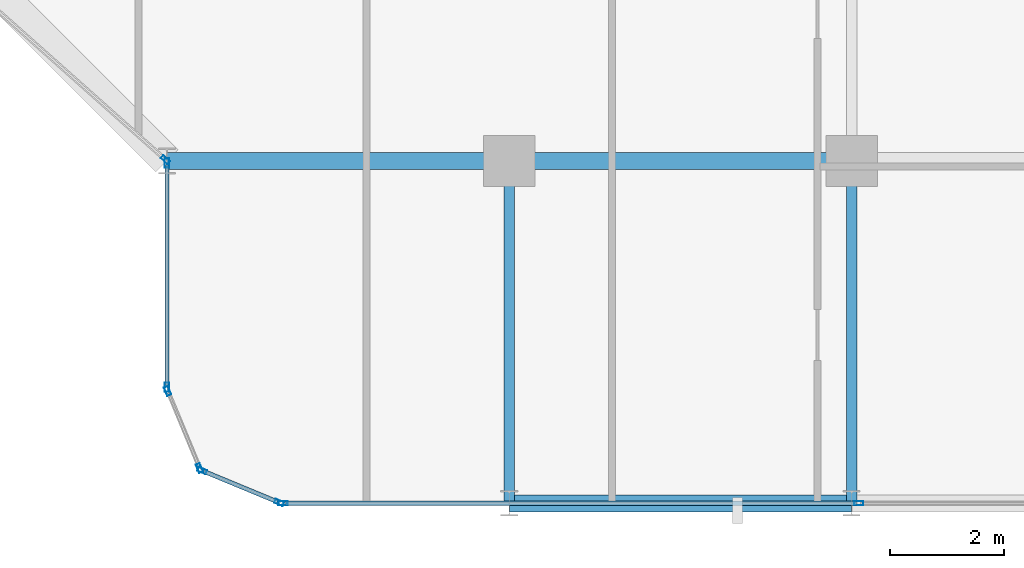
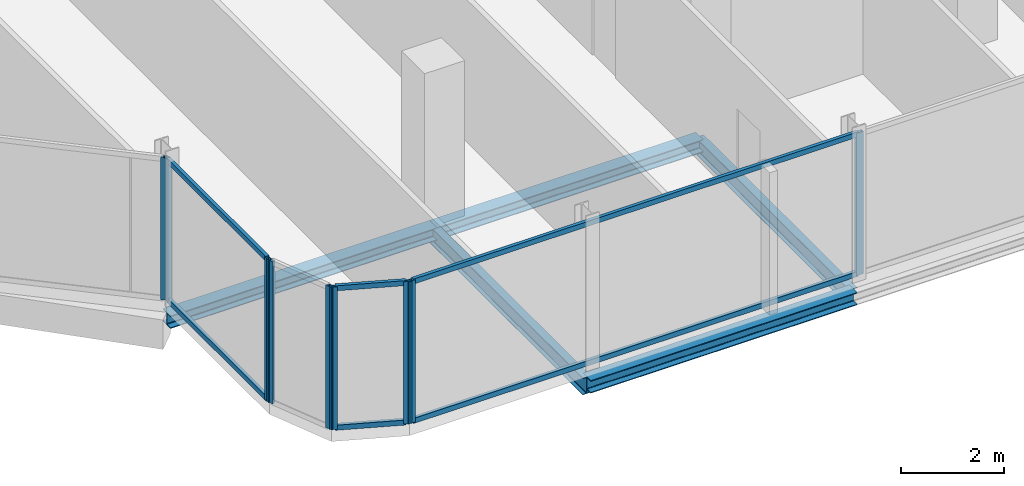
# One storey, part 6 of 29: 15 members, 5 beams, 5 elements without a shape of their own.
"""IFC4 building model written with IfcOpenShell, lengths in metres."""

from ifc_helpers import new_model, si_unit, direction, frame, origin, origin_2d, place, context, subcontext, project, spatial, hollow_rectangle, i_section, extrude, material, layer, layer_set, material_profile, profile_set, type_object, element, aggregate, save


model = new_model("IFC4")

# Units and contexts
model_context = context("Model", 3, precision=1e-05, world=origin(), true_north=direction((0.0, 1.0)))
body_context = subcontext(model_context, "Body", "Model", "MODEL_VIEW")
ifc_project = project(units=[si_unit("LENGTHUNIT", "METRE"), si_unit("AREAUNIT", "SQUARE_METRE"), si_unit("VOLUMEUNIT", "CUBIC_METRE"), si_unit("PLANEANGLEUNIT", "RADIAN"), si_unit("MASSUNIT", "GRAM", prefix="KILO")], contexts=[model_context])

# Site, building, storey
site_placement = place(None, origin())
site = spatial("IfcSite", under=ifc_project, at=site_placement, CompositionType="ELEMENT")
building_placement = place(site_placement, origin())
building = spatial("IfcBuilding", under=site, at=building_placement, Name="Keshet Zoharim Tower", CompositionType="ELEMENT")
storey_placement = place(building_placement, frame((0.0, 0.0, 195.800048828125)))
storey = spatial("IfcBuildingStorey", under=building, at=storey_placement, Name="L48", CompositionType="ELEMENT", Elevation=195.800048828125)

# Beams
ifc_material_1 = material(Name="Steel S355", Category="steel")
ifc_material_profile_1 = material_profile(ifc_material_1, i_section(OverallWidth=0.300048828125, OverallDepth=0.300048828125, WebThickness=0.010986328125, FlangeThickness=0.01904296875, FilletRadius=0.027099609375, at=origin_2d()), Name="HEB300")
ifc_profile_set_1 = profile_set([ifc_material_profile_1], Name="Steel S355")
beam_type_1 = type_object("IfcBeamType", Name="BM-PRI-HB300", PredefinedType="BEAM", material=ifc_profile_set_1)
for number, where, z_axis, x_axis, name in (
    (1, (27.0, 0.699951171875, -0.4599609375), (1.0, 0.0, 0.0), (0.0, 1.0, 0.0), "L48 Primary Girder X-001"),
    (2, (21.0, 6.699951171875, -0.4599609375), (1.0, 0.0, 0.0), (0.0, 1.0, 0.0), "L48 Primary Girder X-005"),
    (3, (27.0, 6.699951171875, -0.4599609375), (1.0, 0.0, 0.0), (0.0, 1.0, 0.0), "L48 Primary Girder X-006"),
):
    element("IfcBeam", number, at=place(storey_placement, frame(where, z_axis=z_axis, x_axis=x_axis)), inside=storey, type_object=beam_type_1, Name=name, PredefinedType="BEAM", context=body_context, shape_type="SweptSolid", body=[
        extrude(i_section(OverallWidth=0.300048828125, OverallDepth=0.300048828125, WebThickness=0.010986328125, FlangeThickness=0.01904296875, FilletRadius=0.027099609375, at=origin_2d()), origin(), (0.0, 0.0, 1.0), 6.0),
    ])
ifc_material_profile_2 = material_profile(ifc_material_1, i_section(OverallWidth=0.179931640625, OverallDepth=0.39990234375, WebThickness=0.008544921875, FlangeThickness=0.013427734375, FilletRadius=0.02099609375, at=origin_2d()), Name="IPE400")
ifc_profile_set_2 = profile_set([ifc_material_profile_2], Name="Steel S355")
beam_type_2 = type_object("IfcBeamType", Name="BM-PRI-IP400", PredefinedType="BEAM", material=ifc_profile_set_2)
for number, where, z_axis, x_axis, name in (
    (4, (27.0, 0.699951171875, -0.510009765625), (0.0, 1.0, 0.0), (-1.0, 0.0, 0.0), "L48 Primary Girder Y-004"),
    (5, (33.0, 0.699951171875, -0.510009765625), (0.0, 1.0, 0.0), (-1.0, 0.0, 0.0), "L48 Primary Girder Y-005"),
):
    element("IfcBeam", number, at=place(storey_placement, frame(where, z_axis=z_axis, x_axis=x_axis)), inside=storey, type_object=beam_type_2, Name=name, PredefinedType="BEAM", context=body_context, shape_type="SweptSolid", body=[
        extrude(i_section(OverallWidth=0.179931640625, OverallDepth=0.39990234375, WebThickness=0.008544921875, FlangeThickness=0.013427734375, FilletRadius=0.02099609375, at=origin_2d()), origin(), (0.0, 0.0, 1.0), 6.0),
    ])

# Curtain wall, members
ifc_material_2 = material(Name="Aluminium 6063-T6", Category="aluminium")
ifc_layer = layer(ifc_material_2, 0.139892578125)
ifc_layer_set = layer_set([ifc_layer], Name="Aluminium 6063-T6")
curtain_wall_type = type_object("IfcCurtainWallType", Name="CW-SYS-05", PredefinedType="NOTDEFINED", material=ifc_layer_set)
curtain_wall_1_placement = place(storey_placement, origin())
curtain_wall_1 = element("IfcCurtainWall", 6, at=curtain_wall_1_placement, inside=storey, type_object=curtain_wall_type, Name="L48 Unitised Curtain Wall 06 Part 3", PredefinedType="NOTDEFINED")
ifc_material_profile_3 = material_profile(ifc_material_2, hollow_rectangle(XDim=0.074951171875, YDim=0.159912109375, WallThickness=0.00390625, at=origin_2d()), Name="MUL-75x160")
ifc_profile_set_3 = profile_set([ifc_material_profile_3], Name="Aluminium 6063-T6")
member_type_1 = type_object("IfcMemberType", Name="CWM-M15", PredefinedType="MULLION", material=ifc_profile_set_3)
member_1_placement = place(storey_placement, frame((33.1259765625, 0.699951171875, 0.0), z_axis=(0.0, 0.0, 1.0), x_axis=(0.0, -1.0, 0.0)))
member_1 = element("IfcMember", 7, at=member_1_placement, type_object=member_type_1, Name="CW-05 mullion 2", PredefinedType="MULLION", context=body_context, shape_type="SweptSolid", body=[
    extrude(hollow_rectangle(XDim=0.074951171875, YDim=0.159912109375, WallThickness=0.00390625, at=origin_2d()), origin(), (0.0, 0.0, 1.0), 3.389892578125),
])
member_2_placement = place(storey_placement, frame((23.034912109375, 0.699951171875, 0.0), z_axis=(0.0, 0.0, 1.0), x_axis=(0.0, -1.0, 0.0)))
member_2 = element("IfcMember", 8, at=member_2_placement, type_object=member_type_1, Name="CW-05 mullion 3", PredefinedType="MULLION", context=body_context, shape_type="SweptSolid", body=[
    extrude(hollow_rectangle(XDim=0.074951171875, YDim=0.159912109375, WallThickness=0.00390625, at=origin_2d()), origin(), (0.0, 0.0, 1.0), 3.389892578125),
])

curtain_wall_2_placement = place(storey_placement, origin())
curtain_wall_2 = element("IfcCurtainWall", 9, at=curtain_wall_2_placement, inside=storey, type_object=curtain_wall_type, Name="L48 Unitised Curtain Wall 07", PredefinedType="NOTDEFINED")
member_3_placement = place(storey_placement, frame((22.9677734375, 0.71337890625, 0.0), z_axis=(0.0, 0.0, 1.0), x_axis=(-0.382851849847, -0.92380975372, 0.0)))
member_3 = element("IfcMember", 10, at=member_3_placement, type_object=member_type_1, Name="CW-05 mullion 1", PredefinedType="MULLION", context=body_context, shape_type="SweptSolid", body=[
    extrude(hollow_rectangle(XDim=0.074951171875, YDim=0.159912109375, WallThickness=0.00390625, at=origin_2d()), origin(), (0.0, 0.0, 1.0), 3.389892578125),
])
member_4_placement = place(storey_placement, frame((21.618408203125, 1.272705078125, 0.0), z_axis=(0.0, 0.0, 1.0), x_axis=(-0.382851849847, -0.92380975372, 0.0)))
member_4 = element("IfcMember", 11, at=member_4_placement, type_object=member_type_1, Name="CW-05 mullion 2", PredefinedType="MULLION", context=body_context, shape_type="SweptSolid", body=[
    extrude(hollow_rectangle(XDim=0.074951171875, YDim=0.159912109375, WallThickness=0.00390625, at=origin_2d()), origin(), (0.0, 0.0, 1.0), 3.389892578125),
])

curtain_wall_3_placement = place(storey_placement, origin())
curtain_wall_3 = element("IfcCurtainWall", 12, at=curtain_wall_3_placement, inside=storey, type_object=curtain_wall_type, Name="L48 Unitised Curtain Wall 08", PredefinedType="NOTDEFINED")
member_5_placement = place(storey_placement, frame((21.572509765625, 1.318359375, 0.0), z_axis=(0.0, 0.0, 1.0), x_axis=(-0.92380975372, -0.382851849847, 0.0)))
member_5 = element("IfcMember", 13, at=member_5_placement, type_object=member_type_1, Name="CW-05 mullion 1", PredefinedType="MULLION", context=body_context, shape_type="SweptSolid", body=[
    extrude(hollow_rectangle(XDim=0.074951171875, YDim=0.159912109375, WallThickness=0.00390625, at=origin_2d()), origin(), (0.0, 0.0, 1.0), 3.389892578125),
])
member_6_placement = place(storey_placement, frame((21.013427734375, 2.667724609375, 0.0), z_axis=(0.0, 0.0, 1.0), x_axis=(-0.92380975372, -0.382851849847, 0.0)))
member_6 = element("IfcMember", 14, at=member_6_placement, type_object=member_type_1, Name="CW-05 mullion 2", PredefinedType="MULLION", context=body_context, shape_type="SweptSolid", body=[
    extrude(hollow_rectangle(XDim=0.074951171875, YDim=0.159912109375, WallThickness=0.00390625, at=origin_2d()), origin(), (0.0, 0.0, 1.0), 3.389892578125),
])
aggregate(curtain_wall_3, [member_5, member_6])

curtain_wall_4_placement = place(storey_placement, origin())
curtain_wall_4 = element("IfcCurtainWall", 15, at=curtain_wall_4_placement, inside=storey, type_object=curtain_wall_type, Name="L48 Unitised Curtain Wall 09", PredefinedType="NOTDEFINED")
member_7_placement = place(storey_placement, frame((21.0, 2.735107421875, 0.0), z_axis=(0.0, 0.0, 1.0), x_axis=(-1.0, 0.0, 0.0)))
member_7 = element("IfcMember", 16, at=member_7_placement, type_object=member_type_1, Name="CW-05 mullion 1", PredefinedType="MULLION", context=body_context, shape_type="SweptSolid", body=[
    extrude(hollow_rectangle(XDim=0.074951171875, YDim=0.159912109375, WallThickness=0.00390625, at=origin_2d()), origin(), (0.0, 0.0, 1.0), 3.389892578125),
])
member_8_placement = place(storey_placement, frame((21.0, 6.6650390625, 0.0), z_axis=(0.0, 0.0, 1.0), x_axis=(-1.0, 0.0, 0.0)))
member_8 = element("IfcMember", 17, at=member_8_placement, type_object=member_type_1, Name="CW-05 mullion 2", PredefinedType="MULLION", context=body_context, shape_type="SweptSolid", body=[
    extrude(hollow_rectangle(XDim=0.074951171875, YDim=0.159912109375, WallThickness=0.00390625, at=origin_2d()), origin(), (0.0, 0.0, 1.0), 3.389892578125),
])

# Curtain wall, member
curtain_wall_5_placement = place(storey_placement, origin())
curtain_wall_5 = element("IfcCurtainWall", 18, at=curtain_wall_5_placement, inside=storey, type_object=curtain_wall_type, Name="L48 Unitised Curtain Wall 10", PredefinedType="NOTDEFINED")
member_9_placement = place(storey_placement, frame((20.973876953125, 6.72314453125, 0.0), z_axis=(0.0, 0.0, 1.0), x_axis=(-0.664367613066, -0.74740596379, 0.0)))
member_9 = element("IfcMember", 19, at=member_9_placement, type_object=member_type_1, Name="CW-05 mullion 1", PredefinedType="MULLION", context=body_context, shape_type="SweptSolid", body=[
    extrude(hollow_rectangle(XDim=0.074951171875, YDim=0.159912109375, WallThickness=0.00390625, at=origin_2d()), origin(), (0.0, 0.0, 1.0), 3.389892578125),
])
aggregate(curtain_wall_5, [member_9])

# Member
ifc_material_profile_4 = material_profile(ifc_material_2, hollow_rectangle(XDim=0.074951171875, YDim=0.1201171875, WallThickness=0.00390625, at=origin_2d()), Name="TRN-75x120")
ifc_profile_set_4 = profile_set([ifc_material_profile_4], Name="Aluminium 6063-T6")
member_type_2 = type_object("IfcMemberType", Name="CWT-T12", PredefinedType="USERDEFINED", material=ifc_profile_set_4)
member_10_placement = place(storey_placement, frame((33.091064453125, 0.699951171875, 0.034912109375), z_axis=(-1.0, 0.0, 0.0), x_axis=(0.0, -1.0, 0.0)))
member_10 = element("IfcMember", 20, at=member_10_placement, type_object=member_type_2, Name="CW-05 transom 2.1", ObjectType="TRANSOM", PredefinedType="USERDEFINED", context=body_context, shape_type="SweptSolid", body=[
    extrude(hollow_rectangle(XDim=0.074951171875, YDim=0.1201171875, WallThickness=0.00390625, at=origin_2d()), origin(), (0.0, 0.0, 1.0), 10.02099609375),
])

member_11_placement = place(storey_placement, frame((33.091064453125, 0.699951171875, 3.35498046875), z_axis=(-1.0, 0.0, 0.0), x_axis=(0.0, -1.0, 0.0)))
member_11 = element("IfcMember", 21, at=member_11_placement, type_object=member_type_2, Name="CW-05 transom 2.2", ObjectType="TRANSOM", PredefinedType="USERDEFINED", context=body_context, shape_type="SweptSolid", body=[
    extrude(hollow_rectangle(XDim=0.074951171875, YDim=0.1201171875, WallThickness=0.00390625, at=origin_2d()), origin(), (0.0, 0.0, 1.0), 10.02099609375),
])

aggregate(curtain_wall_1, [member_1, member_2, member_10, member_11])

member_12_placement = place(storey_placement, frame((22.935302734375, 0.726806640625, 0.034912109375), z_axis=(-0.92379209995, 0.382894445076, 0.0), x_axis=(-0.382894445076, -0.92379209995, 0.0)))
member_12 = element("IfcMember", 22, at=member_12_placement, type_object=member_type_2, Name="CW-05 transom 1.1", ObjectType="TRANSOM", PredefinedType="USERDEFINED", context=body_context, shape_type="SweptSolid", body=[
    extrude(hollow_rectangle(XDim=0.074951171875, YDim=0.1201171875, WallThickness=0.00390625, at=origin_2d()), origin(), (0.0, 0.0, 1.0), 1.390625),
])

member_13_placement = place(storey_placement, frame((22.935302734375, 0.726806640625, 3.35498046875), z_axis=(-0.92379209995, 0.382894445076, 0.0), x_axis=(-0.382894445076, -0.92379209995, 0.0)))
member_13 = element("IfcMember", 23, at=member_13_placement, type_object=member_type_2, Name="CW-05 transom 1.2", ObjectType="TRANSOM", PredefinedType="USERDEFINED", context=body_context, shape_type="SweptSolid", body=[
    extrude(hollow_rectangle(XDim=0.074951171875, YDim=0.1201171875, WallThickness=0.00390625, at=origin_2d()), origin(), (0.0, 0.0, 1.0), 1.390625),
])

aggregate(curtain_wall_2, [member_3, member_4, member_12, member_13])

member_14_placement = place(storey_placement, frame((21.0, 2.77001953125, 0.034912109375), z_axis=(0.0, 1.0, 0.0), x_axis=(-1.0, 0.0, 0.0)))
member_14 = element("IfcMember", 24, at=member_14_placement, type_object=member_type_2, Name="CW-05 transom 1.1", ObjectType="TRANSOM", PredefinedType="USERDEFINED", context=body_context, shape_type="SweptSolid", body=[
    extrude(hollow_rectangle(XDim=0.074951171875, YDim=0.1201171875, WallThickness=0.00390625, at=origin_2d()), origin(), (0.0, 0.0, 1.0), 3.85986328125),
])

member_15_placement = place(storey_placement, frame((21.0, 2.77001953125, 3.35498046875), z_axis=(0.0, 1.0, 0.0), x_axis=(-1.0, 0.0, 0.0)))
member_15 = element("IfcMember", 25, at=member_15_placement, type_object=member_type_2, Name="CW-05 transom 1.2", ObjectType="TRANSOM", PredefinedType="USERDEFINED", context=body_context, shape_type="SweptSolid", body=[
    extrude(hollow_rectangle(XDim=0.074951171875, YDim=0.1201171875, WallThickness=0.00390625, at=origin_2d()), origin(), (0.0, 0.0, 1.0), 3.85986328125),
])

aggregate(curtain_wall_4, [member_7, member_8, member_14, member_15])

save(model, "model.ifc")
